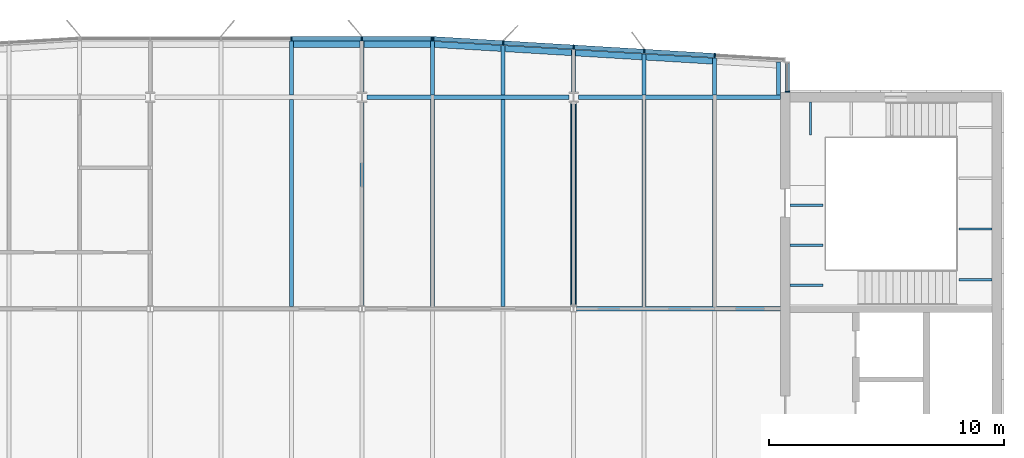
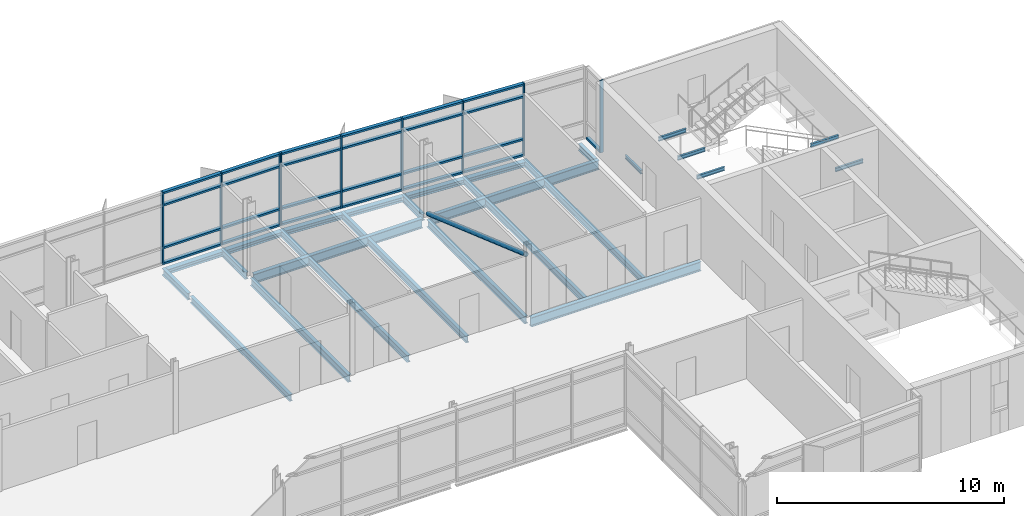
# One storey, part 8 of 20: 35 members, 30 beams, 3 elements without a shape of their own.
"""IFC4 building model written with IfcOpenShell, lengths in metres."""

from ifc_helpers import new_model, si_unit, direction, frame, origin, origin_2d, place, context, subcontext, project, spatial, rectangle, hollow_circle, i_section, extrude, material, material_profile, profile_set, type_object, element, aggregate, save


model = new_model("IFC4")

# Units and contexts
model_context = context("Model", 3, precision=1e-05, world=origin(), true_north=direction((0.0, 1.0)))
body_context = subcontext(model_context, "Body", "Model", "MODEL_VIEW")
ifc_project = project(units=[si_unit("LENGTHUNIT", "METRE"), si_unit("AREAUNIT", "SQUARE_METRE"), si_unit("VOLUMEUNIT", "CUBIC_METRE"), si_unit("PLANEANGLEUNIT", "RADIAN"), si_unit("MASSUNIT", "GRAM", prefix="KILO")], contexts=[model_context])

# Site, building, storey
site_placement = place(None, origin())
site = spatial("IfcSite", under=ifc_project, at=site_placement, CompositionType="ELEMENT")
building_placement = place(site_placement, origin())
building = spatial("IfcBuilding", under=site, at=building_placement, Name="Azimuth Sports and Learning Centre", CompositionType="ELEMENT")
storey_placement = place(building_placement, frame((0.0, 0.0, 71.39990234375)))
storey = spatial("IfcBuildingStorey", under=building, at=storey_placement, Name="L16", CompositionType="ELEMENT", Elevation=71.39990234375)

# Beams
ifc_material_1 = material(Name="Steel S355", Category="steel")
ifc_material_profile_1 = material_profile(ifc_material_1, i_section(OverallWidth=0.10009765625, OverallDepth=0.199951171875, WebThickness=0.005615234375, FlangeThickness=0.008544921875, FilletRadius=0.011962890625, at=origin_2d()), Name="IPE 200")
ifc_profile_set_1 = profile_set([ifc_material_profile_1], Name="Steel S355")
beam_type_1 = type_object("IfcBeamType", Name="Beam IPE 200", PredefinedType="BEAM", material=ifc_profile_set_1)
for number, where, z_axis, x_axis, name in (
    (1, (109.0732421875, 116.800048828125, -0.2998046875), (0.0, -1.0, 0.0), (1.0, 0.0, 0.0), "Landing bracket E2 L16 693"),
    (2, (116.800048828125, 109.23876953125, 1.35009765625), (-1.0, 0.0, 0.0), (0.0, -1.0, 0.0), "Landing bracket E2 L16 696"),
    (3, (116.800048828125, 111.396240234375, 1.35009765625), (-1.0, 0.0, 0.0), (0.0, -1.0, 0.0), "Landing bracket E2 L16 697"),
    (4, (108.199951171875, 109.00830078125, 3.60009765625), (1.0, 0.0, 0.0), (0.0, 1.0, 0.0), "Landing bracket E2 L16 700"),
    (5, (108.199951171875, 110.705078125, 3.60009765625), (1.0, 0.0, 0.0), (0.0, 1.0, 0.0), "Landing bracket E2 L16 701"),
    (6, (108.199951171875, 112.401611328125, 3.60009765625), (1.0, 0.0, 0.0), (0.0, 1.0, 0.0), "Landing bracket E2 L16 702"),
):
    element("IfcBeam", number, at=place(storey_placement, frame(where, z_axis=z_axis, x_axis=x_axis)), inside=storey, type_object=beam_type_1, Name=name, PredefinedType="BEAM", context=body_context, shape_type="SweptSolid", body=[
        extrude(i_section(OverallWidth=0.10009765625, OverallDepth=0.199951171875, WebThickness=0.005615234375, FlangeThickness=0.008544921875, FilletRadius=0.011962890625, at=origin_2d()), origin(), (0.0, 0.0, 1.0), 1.41015625),
    ])
ifc_material_2 = material(Name="Steel S355", Category="steel")
ifc_material_profile_2 = material_profile(ifc_material_2, i_section(OverallWidth=0.179931640625, OverallDepth=0.39990234375, WebThickness=0.008544921875, FlangeThickness=0.013427734375, FilletRadius=0.02099609375, at=origin_2d()), Name="IPE 400")
ifc_profile_set_2 = profile_set([ifc_material_profile_2], Name="Steel S355")
beam_type_2 = type_object("IfcBeamType", Name="Beam IPE 400", PredefinedType="BEAM", material=ifc_profile_set_2)
for number, where, z_axis, x_axis, name in (
    (7, (90.0, 108.1298828125, -0.329833984375), (0.0, 1.0, 0.0), (-1.0, 0.0, 0.0), "Tower tie"),
    (8, (99.0, 108.1298828125, -0.329833984375), (0.0, 1.0, 0.0), (-1.0, 0.0, 0.0), "Tower tie"),
):
    element("IfcBeam", number, at=place(storey_placement, frame(where, z_axis=z_axis, x_axis=x_axis)), inside=storey, type_object=beam_type_2, Name=name, PredefinedType="BEAM", context=body_context, shape_type="SweptSolid", body=[
        extrude(i_section(OverallWidth=0.179931640625, OverallDepth=0.39990234375, WebThickness=0.008544921875, FlangeThickness=0.013427734375, FilletRadius=0.02099609375, at=origin_2d()), origin(), (0.0, 0.0, 1.0), 8.652587890625),
    ])
ifc_material_3 = material(Name="Steel S355", Category="steel")
ifc_material_profile_3 = material_profile(ifc_material_3, i_section(OverallWidth=0.199951171875, OverallDepth=0.5, WebThickness=0.01025390625, FlangeThickness=0.01611328125, FilletRadius=0.02099609375, at=origin_2d()), Name="IPE 500")
ifc_profile_set_3 = profile_set([ifc_material_profile_3], Name="Steel S355")
beam_type_3 = type_object("IfcBeamType", Name="Beam IPE 500", PredefinedType="BEAM", material=ifc_profile_set_3)
beam_1_placement = place(storey_placement, frame((99.1298828125, 108.0, -0.3798828125), z_axis=(1.0, 0.0, 0.0), x_axis=(0.0, 1.0, 0.0)))
element("IfcBeam", 9, at=beam_1_placement, inside=storey, type_object=beam_type_3, Name="Tower girder L16", PredefinedType="BEAM", context=body_context, shape_type="SweptSolid", body=[
    extrude(i_section(OverallWidth=0.199951171875, OverallDepth=0.5, WebThickness=0.01025390625, FlangeThickness=0.01611328125, FilletRadius=0.02099609375, at=origin_2d()), origin(), (0.0, 0.0, 1.0), 8.670166015625),
])
beam_2_placement = place(storey_placement, frame((90.2060546875, 117.0, -0.3798828125), z_axis=(1.0, 0.0, 0.0), x_axis=(0.0, 1.0, 0.0)))
element("IfcBeam", 10, at=beam_2_placement, inside=storey, type_object=beam_type_3, Name="Tower girder L16", PredefinedType="BEAM", context=body_context, shape_type="SweptSolid", body=[
    extrude(i_section(OverallWidth=0.199951171875, OverallDepth=0.5, WebThickness=0.01025390625, FlangeThickness=0.01611328125, FilletRadius=0.02099609375, at=origin_2d()), origin(), (0.0, 0.0, 1.0), 8.587890625),
])
beam_3_placement = place(storey_placement, frame((99.2060546875, 117.0, -0.3798828125), z_axis=(1.0, 0.0, 0.0), x_axis=(0.0, 1.0, 0.0)))
element("IfcBeam", 11, at=beam_3_placement, inside=storey, type_object=beam_type_3, Name="Tower girder L16", PredefinedType="BEAM", context=body_context, shape_type="SweptSolid", body=[
    extrude(i_section(OverallWidth=0.199951171875, OverallDepth=0.5, WebThickness=0.01025390625, FlangeThickness=0.01611328125, FilletRadius=0.02099609375, at=origin_2d()), origin(), (0.0, 0.0, 1.0), 8.593994140625),
])

# Member
ifc_material_4 = material(Name="Steel S355", Category="steel")
ifc_material_profile_4 = material_profile(ifc_material_4, hollow_circle(Radius=0.122314453125, WallThickness=0.012451171875, at=origin_2d()), Name="CHS 244.5x12.5")
ifc_profile_set_4 = profile_set([ifc_material_profile_4], Name="Steel S355")
member_type_1 = type_object("IfcMemberType", Name="Brace CHS 244.5x12.5", PredefinedType="BRACE", material=ifc_profile_set_4)
member_1_placement = place(storey_placement, frame((99.0, 108.150634765625, 3.20068359375), z_axis=(0.0, 0.943274861537, -0.332012854558), x_axis=(-1.0, 0.0, 0.0)))
element("IfcMember", 12, at=member_1_placement, inside=storey, type_object=member_type_1, Name="Tower brace 12 L16", PredefinedType="BRACE", context=body_context, shape_type="SweptSolid", body=[
    extrude(hollow_circle(Radius=0.122314453125, WallThickness=0.012451171875, at=origin_2d()), origin(), (0.0, 0.0, 1.0), 9.129150390625),
])

# Beams
ifc_material_5 = material(Name="Steel S355", Category="steel")
ifc_material_profile_5 = material_profile(ifc_material_5, i_section(OverallWidth=0.169921875, OverallDepth=0.360107421875, WebThickness=0.008056640625, FlangeThickness=0.0126953125, FilletRadius=0.01806640625, at=origin_2d()), Name="IPE 360")
ifc_profile_set_5 = profile_set([ifc_material_profile_5], Name="Steel S355")
beam_type_4 = type_object("IfcBeamType", Name="Cantilever stub IPE 360", PredefinedType="JOIST", material=ifc_profile_set_5)
beam_4_placement = place(storey_placement, frame((87.0, 117.10009765625, -0.309814453125), z_axis=(0.0, 1.0, 0.0), x_axis=(-1.0, 0.0, 0.0)))
element("IfcBeam", 13, at=beam_4_placement, inside=storey, type_object=beam_type_4, Name="Tower cantilever stub", PredefinedType="JOIST", context=body_context, shape_type="SweptSolid", body=[
    extrude(i_section(OverallWidth=0.169921875, OverallDepth=0.360107421875, WebThickness=0.008056640625, FlangeThickness=0.0126953125, FilletRadius=0.01806640625, at=origin_2d()), origin(), (0.0, 0.0, 1.0), 2.27978515625),
])
beam_5_placement = place(storey_placement, frame((90.0, 117.217529296875, -0.309814453125), z_axis=(0.0, 1.0, 0.0), x_axis=(-1.0, 0.0, 0.0)))
element("IfcBeam", 14, at=beam_5_placement, inside=storey, type_object=beam_type_4, Name="Tower cantilever stub", PredefinedType="JOIST", context=body_context, shape_type="SweptSolid", body=[
    extrude(i_section(OverallWidth=0.169921875, OverallDepth=0.360107421875, WebThickness=0.008056640625, FlangeThickness=0.0126953125, FilletRadius=0.01806640625, at=origin_2d()), origin(), (0.0, 0.0, 1.0), 2.162353515625),
])
beam_6_placement = place(storey_placement, frame((93.0, 117.10009765625, -0.309814453125), z_axis=(0.0, 1.0, 0.0), x_axis=(-1.0, 0.0, 0.0)))
element("IfcBeam", 15, at=beam_6_placement, inside=storey, type_object=beam_type_4, Name="Tower cantilever stub", PredefinedType="JOIST", context=body_context, shape_type="SweptSolid", body=[
    extrude(i_section(OverallWidth=0.169921875, OverallDepth=0.360107421875, WebThickness=0.008056640625, FlangeThickness=0.0126953125, FilletRadius=0.01806640625, at=origin_2d()), origin(), (0.0, 0.0, 1.0), 2.27978515625),
])
beam_7_placement = place(storey_placement, frame((96.0, 117.10009765625, -0.309814453125), z_axis=(0.0, 1.0, 0.0), x_axis=(-1.0, 0.0, 0.0)))
element("IfcBeam", 16, at=beam_7_placement, inside=storey, type_object=beam_type_4, Name="Tower cantilever stub", PredefinedType="JOIST", context=body_context, shape_type="SweptSolid", body=[
    extrude(i_section(OverallWidth=0.169921875, OverallDepth=0.360107421875, WebThickness=0.008056640625, FlangeThickness=0.0126953125, FilletRadius=0.01806640625, at=origin_2d()), origin(), (0.0, 0.0, 1.0), 2.099853515625),
])
beam_8_placement = place(storey_placement, frame((99.0, 117.217529296875, -0.309814453125), z_axis=(0.0, 1.0, 0.0), x_axis=(-1.0, 0.0, 0.0)))
element("IfcBeam", 17, at=beam_8_placement, inside=storey, type_object=beam_type_4, Name="Tower cantilever stub", PredefinedType="JOIST", context=body_context, shape_type="SweptSolid", body=[
    extrude(i_section(OverallWidth=0.169921875, OverallDepth=0.360107421875, WebThickness=0.008056640625, FlangeThickness=0.0126953125, FilletRadius=0.01806640625, at=origin_2d()), origin(), (0.0, 0.0, 1.0), 1.802490234375),
])
beam_9_placement = place(storey_placement, frame((102.0, 117.10009765625, -0.309814453125), z_axis=(0.0, 1.0, 0.0), x_axis=(-1.0, 0.0, 0.0)))
element("IfcBeam", 18, at=beam_9_placement, inside=storey, type_object=beam_type_4, Name="Tower cantilever stub", PredefinedType="JOIST", context=body_context, shape_type="SweptSolid", body=[
    extrude(i_section(OverallWidth=0.169921875, OverallDepth=0.360107421875, WebThickness=0.008056640625, FlangeThickness=0.0126953125, FilletRadius=0.01806640625, at=origin_2d()), origin(), (0.0, 0.0, 1.0), 1.739990234375),
])
beam_10_placement = place(storey_placement, frame((105.0, 117.10009765625, -0.309814453125), z_axis=(0.0, 1.0, 0.0), x_axis=(-1.0, 0.0, 0.0)))
element("IfcBeam", 19, at=beam_10_placement, inside=storey, type_object=beam_type_4, Name="Tower cantilever stub", PredefinedType="JOIST", context=body_context, shape_type="SweptSolid", body=[
    extrude(i_section(OverallWidth=0.169921875, OverallDepth=0.360107421875, WebThickness=0.008056640625, FlangeThickness=0.0126953125, FilletRadius=0.01806640625, at=origin_2d()), origin(), (0.0, 0.0, 1.0), 1.559814453125),
])
beam_11_placement = place(storey_placement, frame((107.715087890625, 117.10009765625, -0.309814453125), z_axis=(0.0, 1.0, 0.0), x_axis=(-1.0, 0.0, 0.0)))
element("IfcBeam", 20, at=beam_11_placement, inside=storey, type_object=beam_type_4, Name="Tower cantilever stub", PredefinedType="JOIST", context=body_context, shape_type="SweptSolid", body=[
    extrude(i_section(OverallWidth=0.169921875, OverallDepth=0.360107421875, WebThickness=0.008056640625, FlangeThickness=0.0126953125, FilletRadius=0.01806640625, at=origin_2d()), origin(), (0.0, 0.0, 1.0), 1.39697265625),
])
ifc_material_6 = material(Name="Steel S355", Category="steel")
ifc_material_profile_6 = material_profile(ifc_material_6, i_section(OverallWidth=0.260009765625, OverallDepth=0.25, WebThickness=0.007568359375, FlangeThickness=0.012451171875, FilletRadius=0.02392578125, at=origin_2d()), Name="HEA 260")
ifc_profile_set_6 = profile_set([ifc_material_profile_6], Name="Steel S355")
beam_type_5 = type_object("IfcBeamType", Name="Edge beam HEA 260", PredefinedType="SPANDREL", material=ifc_profile_set_6)
for number, where, z_axis, x_axis, name in (
    (21, (87.0849609375, 119.25, -0.2548828125), (1.0, 0.0, 0.0), (0.0, 1.0, 0.0), "Tower edge beam"),
    (22, (90.0849609375, 119.25, -0.2548828125), (1.0, 0.0, 0.0), (0.0, 1.0, 0.0), "Tower edge beam"),
):
    element("IfcBeam", number, at=place(storey_placement, frame(where, z_axis=z_axis, x_axis=x_axis)), inside=storey, type_object=beam_type_5, Name=name, PredefinedType="SPANDREL", context=body_context, shape_type="SweptSolid", body=[
        extrude(i_section(OverallWidth=0.260009765625, OverallDepth=0.25, WebThickness=0.007568359375, FlangeThickness=0.012451171875, FilletRadius=0.02392578125, at=origin_2d()), origin(), (0.0, 0.0, 1.0), 2.830078125),
    ])
for number, where, z_axis, x_axis, name in (
    (23, (93.0849609375, 119.244873046875, -0.2548828125), (0.998207521518, -0.059847673176, 0.0), (0.059847673176, 0.998207521518, 0.0), "Tower edge beam"),
    (24, (96.0849609375, 119.06494140625, -0.2548828125), (0.998202373506, -0.059933475842, 0.0), (0.059933475842, 0.998202373506, 0.0), "Tower edge beam"),
    (25, (99.0849609375, 118.885009765625, -0.2548828125), (0.998202373506, -0.059933475842, 0.0), (0.059933475842, 0.998202373506, 0.0), "Tower edge beam"),
    (26, (102.0849609375, 118.704833984375, -0.2548828125), (0.998207521518, -0.059847673176, 0.0), (0.059847673176, 0.998207521518, 0.0), "Tower edge beam"),
):
    element("IfcBeam", number, at=place(storey_placement, frame(where, z_axis=z_axis, x_axis=x_axis)), inside=storey, type_object=beam_type_5, Name=name, PredefinedType="SPANDREL", context=body_context, shape_type="SweptSolid", body=[
        extrude(i_section(OverallWidth=0.260009765625, OverallDepth=0.25, WebThickness=0.007568359375, FlangeThickness=0.012451171875, FilletRadius=0.02392578125, at=origin_2d()), origin(), (0.0, 0.0, 1.0), 2.835205078125),
    ])
ifc_material_7 = material(Name="Steel S355", Category="steel")
ifc_material_profile_7 = material_profile(ifc_material_7, i_section(OverallWidth=0.169921875, OverallDepth=0.360107421875, WebThickness=0.008056640625, FlangeThickness=0.0126953125, FilletRadius=0.01806640625, at=origin_2d()), Name="IPE 360")
ifc_profile_set_7 = profile_set([ifc_material_profile_7], Name="Steel S355")
beam_type_6 = type_object("IfcBeamType", Name="Joist IPE 360", PredefinedType="JOIST", material=ifc_profile_set_7)
for number, where, z_axis, x_axis, name in (
    (27, (87.0, 108.10009765625, -0.309814453125), (0.0, 1.0, 0.0), (-1.0, 0.0, 0.0), "Tower joist"),
    (28, (93.0, 108.10009765625, -0.309814453125), (0.0, 1.0, 0.0), (-1.0, 0.0, 0.0), "Tower joist"),
    (29, (96.0, 108.10009765625, -0.309814453125), (0.0, 1.0, 0.0), (-1.0, 0.0, 0.0), "Tower joist"),
    (30, (102.0, 108.10009765625, -0.309814453125), (0.0, 1.0, 0.0), (-1.0, 0.0, 0.0), "Tower joist"),
    (31, (105.0, 108.10009765625, -0.309814453125), (0.0, 1.0, 0.0), (-1.0, 0.0, 0.0), "Tower joist"),
):
    element("IfcBeam", number, at=place(storey_placement, frame(where, z_axis=z_axis, x_axis=x_axis)), inside=storey, type_object=beam_type_6, Name=name, PredefinedType="JOIST", context=body_context, shape_type="SweptSolid", body=[
        extrude(i_section(OverallWidth=0.169921875, OverallDepth=0.360107421875, WebThickness=0.008056640625, FlangeThickness=0.0126953125, FilletRadius=0.01806640625, at=origin_2d()), origin(), (0.0, 0.0, 1.0), 8.7998046875),
    ])

# Curtain wall, member
ifc_material_8 = material(Name="Aluminium and glass", Category="aluminium")
curtain_wall_type_1 = type_object("IfcCurtainWallType", Name="Curtain wall tower return 180", PredefinedType="NOTDEFINED", material=ifc_material_8)
curtain_wall_1_placement = place(storey_placement, origin())
curtain_wall_1 = element("IfcCurtainWall", 32, at=curtain_wall_1_placement, inside=storey, type_object=curtain_wall_type_1, Name="Curtain wall CW16-008", PredefinedType="NOTDEFINED")
ifc_material_9 = material(Name="Aluminium", Category="aluminium")
ifc_material_profile_8 = material_profile(ifc_material_9, rectangle(XDim=0.179931640625, YDim=0.06005859375, at=origin_2d()), Name="Mullion 60x180")
ifc_profile_set_8 = profile_set([ifc_material_profile_8], Name="Aluminium")
member_type_2 = type_object("IfcMemberType", Name="Mullion 60x180", PredefinedType="MULLION", material=ifc_profile_set_8)
member_2_placement = place(storey_placement, frame((108.090087890625, 117.22998046875, 0.0), z_axis=(0.0, 0.0, 1.0), x_axis=(-1.0, 0.0, 0.0)))
member_2 = element("IfcMember", 33, at=member_2_placement, type_object=member_type_2, Name="CW16-008 mullion 1", PredefinedType="MULLION", context=body_context, shape_type="SweptSolid", body=[
    extrude(rectangle(XDim=0.179931640625, YDim=0.06005859375, at=origin_2d()), origin(), (0.0, 0.0, 1.0), 3.900146484375),
])

# Curtain wall, members
ifc_material_10 = material(Name="Aluminium and glass", Category="aluminium")
curtain_wall_type_2 = type_object("IfcCurtainWallType", Name="Curtain wall tower north 180", PredefinedType="NOTDEFINED", material=ifc_material_10)
curtain_wall_2_placement = place(storey_placement, origin())
curtain_wall_2 = element("IfcCurtainWall", 34, at=curtain_wall_2_placement, inside=storey, type_object=curtain_wall_type_2, Name="Curtain wall CW16-009", PredefinedType="NOTDEFINED")
member_3_placement = place(storey_placement, frame((105.00537109375, 118.769775390625, 0.0), z_axis=(0.0, 0.0, 1.0), x_axis=(-0.059891991812, -0.998204863401, 0.0)))
member_3 = element("IfcMember", 35, at=member_3_placement, type_object=member_type_2, Name="CW16-009 mullion 2", PredefinedType="MULLION", context=body_context, shape_type="SweptSolid", body=[
    extrude(rectangle(XDim=0.179931640625, YDim=0.06005859375, at=origin_2d()), origin(), (0.0, 0.0, 1.0), 3.900146484375),
])
member_4_placement = place(storey_placement, frame((102.00537109375, 118.949951171875, 0.0), z_axis=(0.0, 0.0, 1.0), x_axis=(-0.059891991812, -0.998204863401, 0.0)))
member_4 = element("IfcMember", 36, at=member_4_placement, type_object=member_type_2, Name="CW16-009 mullion 3", PredefinedType="MULLION", context=body_context, shape_type="SweptSolid", body=[
    extrude(rectangle(XDim=0.179931640625, YDim=0.06005859375, at=origin_2d()), origin(), (0.0, 0.0, 1.0), 3.900146484375),
])
member_5_placement = place(storey_placement, frame((99.00537109375, 119.1298828125, 0.0), z_axis=(0.0, 0.0, 1.0), x_axis=(-0.059891991812, -0.998204863401, 0.0)))
member_5 = element("IfcMember", 37, at=member_5_placement, type_object=member_type_2, Name="CW16-009 mullion 4", PredefinedType="MULLION", context=body_context, shape_type="SweptSolid", body=[
    extrude(rectangle(XDim=0.179931640625, YDim=0.06005859375, at=origin_2d()), origin(), (0.0, 0.0, 1.0), 3.900146484375),
])
member_6_placement = place(storey_placement, frame((96.00537109375, 119.309814453125, 0.0), z_axis=(0.0, 0.0, 1.0), x_axis=(-0.059891991812, -0.998204863401, 0.0)))
member_6 = element("IfcMember", 38, at=member_6_placement, type_object=member_type_2, Name="CW16-009 mullion 5", PredefinedType="MULLION", context=body_context, shape_type="SweptSolid", body=[
    extrude(rectangle(XDim=0.179931640625, YDim=0.06005859375, at=origin_2d()), origin(), (0.0, 0.0, 1.0), 3.900146484375),
])
member_7_placement = place(storey_placement, frame((93.035400390625, 119.488037109375, 0.0), z_axis=(0.0, 0.0, 1.0), x_axis=(-0.059891991812, -0.998204863401, 0.0)))
member_7 = element("IfcMember", 39, at=member_7_placement, type_object=member_type_2, Name="CW16-009 mullion 6", PredefinedType="MULLION", context=body_context, shape_type="SweptSolid", body=[
    extrude(rectangle(XDim=0.179931640625, YDim=0.06005859375, at=origin_2d()), origin(), (0.0, 0.0, 1.0), 3.900146484375),
])

curtain_wall_3_placement = place(storey_placement, origin())
curtain_wall_3 = element("IfcCurtainWall", 40, at=curtain_wall_3_placement, inside=storey, type_object=curtain_wall_type_2, Name="Curtain wall CW16-010", PredefinedType="NOTDEFINED")
member_8_placement = place(storey_placement, frame((92.975341796875, 119.489990234375, 0.0), z_axis=(0.0, 0.0, 1.0), x_axis=(0.0, -1.0, 0.0)))
member_8 = element("IfcMember", 41, at=member_8_placement, type_object=member_type_2, Name="CW16-010 mullion 1", PredefinedType="MULLION", context=body_context, shape_type="SweptSolid", body=[
    extrude(rectangle(XDim=0.179931640625, YDim=0.06005859375, at=origin_2d()), origin(), (0.0, 0.0, 1.0), 3.900146484375),
])
member_9_placement = place(storey_placement, frame((90.0, 119.489990234375, 0.0), z_axis=(0.0, 0.0, 1.0), x_axis=(0.0, -1.0, 0.0)))
member_9 = element("IfcMember", 42, at=member_9_placement, type_object=member_type_2, Name="CW16-010 mullion 2", PredefinedType="MULLION", context=body_context, shape_type="SweptSolid", body=[
    extrude(rectangle(XDim=0.179931640625, YDim=0.06005859375, at=origin_2d()), origin(), (0.0, 0.0, 1.0), 3.900146484375),
])
member_10_placement = place(storey_placement, frame((87.0, 119.489990234375, 0.0), z_axis=(0.0, 0.0, 1.0), x_axis=(0.0, -1.0, 0.0)))
member_10 = element("IfcMember", 43, at=member_10_placement, type_object=member_type_2, Name="CW16-010 mullion 3", PredefinedType="MULLION", context=body_context, shape_type="SweptSolid", body=[
    extrude(rectangle(XDim=0.179931640625, YDim=0.06005859375, at=origin_2d()), origin(), (0.0, 0.0, 1.0), 3.900146484375),
])

# Member
ifc_material_11 = material(Name="Aluminium", Category="aluminium")
ifc_material_profile_9 = material_profile(ifc_material_11, rectangle(XDim=0.179931640625, YDim=0.10009765625, at=origin_2d()), Name="Transom 100x180")
ifc_profile_set_9 = profile_set([ifc_material_profile_9], Name="Aluminium")
member_type_3 = type_object("IfcMemberType", Name="Transom 100x180", PredefinedType="USERDEFINED", material=ifc_profile_set_9)
member_11_placement = place(storey_placement, frame((108.090087890625, 117.260009765625, 0.050048828125), z_axis=(0.0, 1.0, 0.0), x_axis=(-1.0, 0.0, 0.0)))
member_11 = element("IfcMember", 44, at=member_11_placement, type_object=member_type_3, Name="CW16-008 transom 1.1", ObjectType="TRANSOM", PredefinedType="USERDEFINED", context=body_context, shape_type="SweptSolid", body=[
    extrude(rectangle(XDim=0.179931640625, YDim=0.10009765625, at=origin_2d()), origin(), (0.0, 0.0, 1.0), 1.179931640625),
])

aggregate(curtain_wall_1, [member_2, member_11])

member_12_placement = place(storey_placement, frame((104.975341796875, 118.771728515625, 0.050048828125), z_axis=(-0.998207421552, 0.059849340505, 0.0), x_axis=(-0.059849340505, -0.998207421552, 0.0)))
member_12 = element("IfcMember", 45, at=member_12_placement, type_object=member_type_3, Name="CW16-009 transom 2.1", ObjectType="TRANSOM", PredefinedType="USERDEFINED", context=body_context, shape_type="SweptSolid", body=[
    extrude(rectangle(XDim=0.179931640625, YDim=0.10009765625, at=origin_2d()), origin(), (0.0, 0.0, 1.0), 2.9453125),
])

member_13_placement = place(storey_placement, frame((104.975341796875, 118.771728515625, 0.900146484375), z_axis=(-0.998207421552, 0.059849340505, 0.0), x_axis=(-0.059849340505, -0.998207421552, 0.0)))
member_13 = element("IfcMember", 46, at=member_13_placement, type_object=member_type_3, Name="CW16-009 transom 2.2", ObjectType="TRANSOM", PredefinedType="USERDEFINED", context=body_context, shape_type="SweptSolid", body=[
    extrude(rectangle(XDim=0.179931640625, YDim=0.10009765625, at=origin_2d()), origin(), (0.0, 0.0, 1.0), 2.9453125),
])

member_14_placement = place(storey_placement, frame((104.975341796875, 118.771728515625, 3.2001953125), z_axis=(-0.998207421552, 0.059849340505, 0.0), x_axis=(-0.059849340505, -0.998207421552, 0.0)))
member_14 = element("IfcMember", 47, at=member_14_placement, type_object=member_type_3, Name="CW16-009 transom 2.3", ObjectType="TRANSOM", PredefinedType="USERDEFINED", context=body_context, shape_type="SweptSolid", body=[
    extrude(rectangle(XDim=0.179931640625, YDim=0.10009765625, at=origin_2d()), origin(), (0.0, 0.0, 1.0), 2.9453125),
])

member_15_placement = place(storey_placement, frame((104.975341796875, 118.771728515625, 3.85009765625), z_axis=(-0.998207421552, 0.059849340505, 0.0), x_axis=(-0.059849340505, -0.998207421552, 0.0)))
member_15 = element("IfcMember", 48, at=member_15_placement, type_object=member_type_3, Name="CW16-009 transom 2.4", ObjectType="TRANSOM", PredefinedType="USERDEFINED", context=body_context, shape_type="SweptSolid", body=[
    extrude(rectangle(XDim=0.179931640625, YDim=0.10009765625, at=origin_2d()), origin(), (0.0, 0.0, 1.0), 2.9453125),
])

member_16_placement = place(storey_placement, frame((101.975341796875, 118.95166015625, 0.050048828125), z_axis=(-0.998207421552, 0.059849340505, 0.0), x_axis=(-0.059849340505, -0.998207421552, 0.0)))
member_16 = element("IfcMember", 49, at=member_16_placement, type_object=member_type_3, Name="CW16-009 transom 3.1", ObjectType="TRANSOM", PredefinedType="USERDEFINED", context=body_context, shape_type="SweptSolid", body=[
    extrude(rectangle(XDim=0.179931640625, YDim=0.10009765625, at=origin_2d()), origin(), (0.0, 0.0, 1.0), 2.9453125),
])

member_17_placement = place(storey_placement, frame((101.975341796875, 118.95166015625, 0.900146484375), z_axis=(-0.998207421552, 0.059849340505, 0.0), x_axis=(-0.059849340505, -0.998207421552, 0.0)))
member_17 = element("IfcMember", 50, at=member_17_placement, type_object=member_type_3, Name="CW16-009 transom 3.2", ObjectType="TRANSOM", PredefinedType="USERDEFINED", context=body_context, shape_type="SweptSolid", body=[
    extrude(rectangle(XDim=0.179931640625, YDim=0.10009765625, at=origin_2d()), origin(), (0.0, 0.0, 1.0), 2.9453125),
])

member_18_placement = place(storey_placement, frame((101.975341796875, 118.95166015625, 3.2001953125), z_axis=(-0.998207421552, 0.059849340505, 0.0), x_axis=(-0.059849340505, -0.998207421552, 0.0)))
member_18 = element("IfcMember", 51, at=member_18_placement, type_object=member_type_3, Name="CW16-009 transom 3.3", ObjectType="TRANSOM", PredefinedType="USERDEFINED", context=body_context, shape_type="SweptSolid", body=[
    extrude(rectangle(XDim=0.179931640625, YDim=0.10009765625, at=origin_2d()), origin(), (0.0, 0.0, 1.0), 2.9453125),
])

member_19_placement = place(storey_placement, frame((101.975341796875, 118.95166015625, 3.85009765625), z_axis=(-0.998207421552, 0.059849340505, 0.0), x_axis=(-0.059849340505, -0.998207421552, 0.0)))
member_19 = element("IfcMember", 52, at=member_19_placement, type_object=member_type_3, Name="CW16-009 transom 3.4", ObjectType="TRANSOM", PredefinedType="USERDEFINED", context=body_context, shape_type="SweptSolid", body=[
    extrude(rectangle(XDim=0.179931640625, YDim=0.10009765625, at=origin_2d()), origin(), (0.0, 0.0, 1.0), 2.9453125),
])

member_20_placement = place(storey_placement, frame((98.975341796875, 119.131591796875, 0.050048828125), z_axis=(-0.998202465912, 0.059931936792, 0.0), x_axis=(-0.059931936792, -0.998202465912, 0.0)))
member_20 = element("IfcMember", 53, at=member_20_placement, type_object=member_type_3, Name="CW16-009 transom 4.1", ObjectType="TRANSOM", PredefinedType="USERDEFINED", context=body_context, shape_type="SweptSolid", body=[
    extrude(rectangle(XDim=0.179931640625, YDim=0.10009765625, at=origin_2d()), origin(), (0.0, 0.0, 1.0), 2.9453125),
])

member_21_placement = place(storey_placement, frame((98.975341796875, 119.131591796875, 0.900146484375), z_axis=(-0.998202465912, 0.059931936792, 0.0), x_axis=(-0.059931936792, -0.998202465912, 0.0)))
member_21 = element("IfcMember", 54, at=member_21_placement, type_object=member_type_3, Name="CW16-009 transom 4.2", ObjectType="TRANSOM", PredefinedType="USERDEFINED", context=body_context, shape_type="SweptSolid", body=[
    extrude(rectangle(XDim=0.179931640625, YDim=0.10009765625, at=origin_2d()), origin(), (0.0, 0.0, 1.0), 2.9453125),
])

member_22_placement = place(storey_placement, frame((98.975341796875, 119.131591796875, 3.2001953125), z_axis=(-0.998202465912, 0.059931936792, 0.0), x_axis=(-0.059931936792, -0.998202465912, 0.0)))
member_22 = element("IfcMember", 55, at=member_22_placement, type_object=member_type_3, Name="CW16-009 transom 4.3", ObjectType="TRANSOM", PredefinedType="USERDEFINED", context=body_context, shape_type="SweptSolid", body=[
    extrude(rectangle(XDim=0.179931640625, YDim=0.10009765625, at=origin_2d()), origin(), (0.0, 0.0, 1.0), 2.9453125),
])

member_23_placement = place(storey_placement, frame((98.975341796875, 119.131591796875, 3.85009765625), z_axis=(-0.998202465912, 0.059931936792, 0.0), x_axis=(-0.059931936792, -0.998202465912, 0.0)))
member_23 = element("IfcMember", 56, at=member_23_placement, type_object=member_type_3, Name="CW16-009 transom 4.4", ObjectType="TRANSOM", PredefinedType="USERDEFINED", context=body_context, shape_type="SweptSolid", body=[
    extrude(rectangle(XDim=0.179931640625, YDim=0.10009765625, at=origin_2d()), origin(), (0.0, 0.0, 1.0), 2.9453125),
])

member_24_placement = place(storey_placement, frame((95.975341796875, 119.3115234375, 0.050048828125), z_axis=(-0.998200838052, 0.059959043628, 0.0), x_axis=(-0.059959043628, -0.998200838052, 0.0)))
member_24 = element("IfcMember", 57, at=member_24_placement, type_object=member_type_3, Name="CW16-009 transom 5.1", ObjectType="TRANSOM", PredefinedType="USERDEFINED", context=body_context, shape_type="SweptSolid", body=[
    extrude(rectangle(XDim=0.179931640625, YDim=0.10009765625, at=origin_2d()), origin(), (0.0, 0.0, 1.0), 2.915283203125),
])

member_25_placement = place(storey_placement, frame((95.975341796875, 119.3115234375, 0.900146484375), z_axis=(-0.998200838052, 0.059959043628, 0.0), x_axis=(-0.059959043628, -0.998200838052, 0.0)))
member_25 = element("IfcMember", 58, at=member_25_placement, type_object=member_type_3, Name="CW16-009 transom 5.2", ObjectType="TRANSOM", PredefinedType="USERDEFINED", context=body_context, shape_type="SweptSolid", body=[
    extrude(rectangle(XDim=0.179931640625, YDim=0.10009765625, at=origin_2d()), origin(), (0.0, 0.0, 1.0), 2.915283203125),
])

member_26_placement = place(storey_placement, frame((95.975341796875, 119.3115234375, 3.2001953125), z_axis=(-0.998200838052, 0.059959043628, 0.0), x_axis=(-0.059959043628, -0.998200838052, 0.0)))
member_26 = element("IfcMember", 59, at=member_26_placement, type_object=member_type_3, Name="CW16-009 transom 5.3", ObjectType="TRANSOM", PredefinedType="USERDEFINED", context=body_context, shape_type="SweptSolid", body=[
    extrude(rectangle(XDim=0.179931640625, YDim=0.10009765625, at=origin_2d()), origin(), (0.0, 0.0, 1.0), 2.915283203125),
])

member_27_placement = place(storey_placement, frame((95.975341796875, 119.3115234375, 3.85009765625), z_axis=(-0.998200838052, 0.059959043628, 0.0), x_axis=(-0.059959043628, -0.998200838052, 0.0)))
member_27 = element("IfcMember", 60, at=member_27_placement, type_object=member_type_3, Name="CW16-009 transom 5.4", ObjectType="TRANSOM", PredefinedType="USERDEFINED", context=body_context, shape_type="SweptSolid", body=[
    extrude(rectangle(XDim=0.179931640625, YDim=0.10009765625, at=origin_2d()), origin(), (0.0, 0.0, 1.0), 2.915283203125),
])

aggregate(curtain_wall_2, [member_3, member_4, member_5, member_6, member_7, member_12, member_13, member_14, member_15, member_16, member_17, member_18, member_19, member_20, member_21, member_22, member_23, member_24, member_25, member_26, member_27])

member_28_placement = place(storey_placement, frame((92.9453125, 119.489990234375, 0.050048828125), z_axis=(-1.0, 0.0, 0.0), x_axis=(0.0, -1.0, 0.0)))
member_28 = element("IfcMember", 61, at=member_28_placement, type_object=member_type_3, Name="CW16-010 transom 1.1", ObjectType="TRANSOM", PredefinedType="USERDEFINED", context=body_context, shape_type="SweptSolid", body=[
    extrude(rectangle(XDim=0.179931640625, YDim=0.10009765625, at=origin_2d()), origin(), (0.0, 0.0, 1.0), 2.915283203125),
])

member_29_placement = place(storey_placement, frame((92.9453125, 119.489990234375, 0.900146484375), z_axis=(-1.0, 0.0, 0.0), x_axis=(0.0, -1.0, 0.0)))
member_29 = element("IfcMember", 62, at=member_29_placement, type_object=member_type_3, Name="CW16-010 transom 1.2", ObjectType="TRANSOM", PredefinedType="USERDEFINED", context=body_context, shape_type="SweptSolid", body=[
    extrude(rectangle(XDim=0.179931640625, YDim=0.10009765625, at=origin_2d()), origin(), (0.0, 0.0, 1.0), 2.915283203125),
])

member_30_placement = place(storey_placement, frame((92.9453125, 119.489990234375, 3.2001953125), z_axis=(-1.0, 0.0, 0.0), x_axis=(0.0, -1.0, 0.0)))
member_30 = element("IfcMember", 63, at=member_30_placement, type_object=member_type_3, Name="CW16-010 transom 1.3", ObjectType="TRANSOM", PredefinedType="USERDEFINED", context=body_context, shape_type="SweptSolid", body=[
    extrude(rectangle(XDim=0.179931640625, YDim=0.10009765625, at=origin_2d()), origin(), (0.0, 0.0, 1.0), 2.915283203125),
])

member_31_placement = place(storey_placement, frame((92.9453125, 119.489990234375, 3.85009765625), z_axis=(-1.0, 0.0, 0.0), x_axis=(0.0, -1.0, 0.0)))
member_31 = element("IfcMember", 64, at=member_31_placement, type_object=member_type_3, Name="CW16-010 transom 1.4", ObjectType="TRANSOM", PredefinedType="USERDEFINED", context=body_context, shape_type="SweptSolid", body=[
    extrude(rectangle(XDim=0.179931640625, YDim=0.10009765625, at=origin_2d()), origin(), (0.0, 0.0, 1.0), 2.915283203125),
])

member_32_placement = place(storey_placement, frame((89.969970703125, 119.489990234375, 0.050048828125), z_axis=(-1.0, 0.0, 0.0), x_axis=(0.0, -1.0, 0.0)))
member_32 = element("IfcMember", 65, at=member_32_placement, type_object=member_type_3, Name="CW16-010 transom 2.1", ObjectType="TRANSOM", PredefinedType="USERDEFINED", context=body_context, shape_type="SweptSolid", body=[
    extrude(rectangle(XDim=0.179931640625, YDim=0.10009765625, at=origin_2d()), origin(), (0.0, 0.0, 1.0), 2.93994140625),
])

member_33_placement = place(storey_placement, frame((89.969970703125, 119.489990234375, 0.900146484375), z_axis=(-1.0, 0.0, 0.0), x_axis=(0.0, -1.0, 0.0)))
member_33 = element("IfcMember", 66, at=member_33_placement, type_object=member_type_3, Name="CW16-010 transom 2.2", ObjectType="TRANSOM", PredefinedType="USERDEFINED", context=body_context, shape_type="SweptSolid", body=[
    extrude(rectangle(XDim=0.179931640625, YDim=0.10009765625, at=origin_2d()), origin(), (0.0, 0.0, 1.0), 2.93994140625),
])

member_34_placement = place(storey_placement, frame((89.969970703125, 119.489990234375, 3.2001953125), z_axis=(-1.0, 0.0, 0.0), x_axis=(0.0, -1.0, 0.0)))
member_34 = element("IfcMember", 67, at=member_34_placement, type_object=member_type_3, Name="CW16-010 transom 2.3", ObjectType="TRANSOM", PredefinedType="USERDEFINED", context=body_context, shape_type="SweptSolid", body=[
    extrude(rectangle(XDim=0.179931640625, YDim=0.10009765625, at=origin_2d()), origin(), (0.0, 0.0, 1.0), 2.93994140625),
])

member_35_placement = place(storey_placement, frame((89.969970703125, 119.489990234375, 3.85009765625), z_axis=(-1.0, 0.0, 0.0), x_axis=(0.0, -1.0, 0.0)))
member_35 = element("IfcMember", 68, at=member_35_placement, type_object=member_type_3, Name="CW16-010 transom 2.4", ObjectType="TRANSOM", PredefinedType="USERDEFINED", context=body_context, shape_type="SweptSolid", body=[
    extrude(rectangle(XDim=0.179931640625, YDim=0.10009765625, at=origin_2d()), origin(), (0.0, 0.0, 1.0), 2.93994140625),
])

aggregate(curtain_wall_3, [member_8, member_9, member_10, member_28, member_29, member_30, member_31, member_32, member_33, member_34, member_35])

save(model, "model.ifc")
